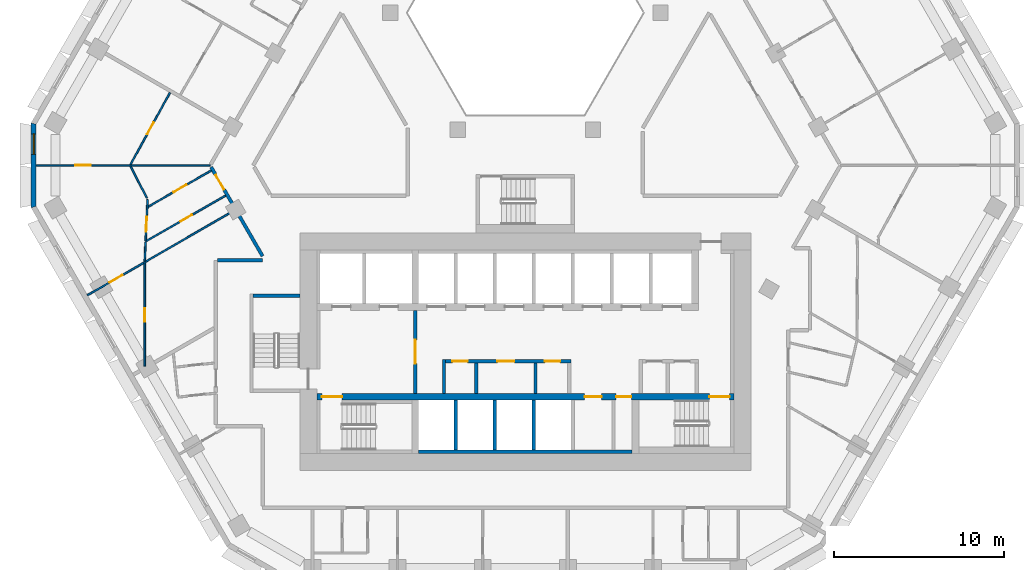
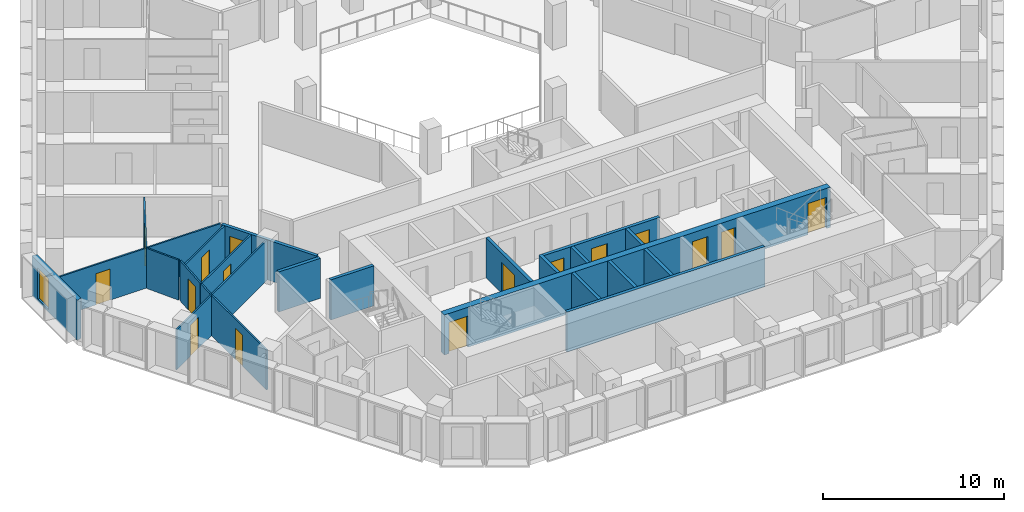
# One storey, part 4 of 16: 23 walls, 16 doors, 1 window, 17 openings.
"""IFC4 building model written with IfcOpenShell, lengths in metres."""

from ifc_helpers import new_model, si_unit, direction, frame, frame_2d, origin, place, context, subcontext, project, spatial, polyline, rectangle, outline, extrude, material, layer, layer_set, type_object, element, fill, save


model = new_model("IFC4")

# Units and contexts
model_context = context("Model", 3, precision=1e-05, world=origin(), true_north=direction((0.0, 1.0)))
body_context = subcontext(model_context, "Body", "Model", "MODEL_VIEW")
ifc_project = project(units=[si_unit("LENGTHUNIT", "METRE"), si_unit("AREAUNIT", "SQUARE_METRE"), si_unit("VOLUMEUNIT", "CUBIC_METRE"), si_unit("PLANEANGLEUNIT", "RADIAN"), si_unit("MASSUNIT", "GRAM", prefix="KILO")], contexts=[model_context])

# Site, building, storey
site_placement = place(None, origin())
site = spatial("IfcSite", under=ifc_project, at=site_placement, CompositionType="ELEMENT")
building_placement = place(site_placement, origin())
building = spatial("IfcBuilding", under=site, at=building_placement, Name="Beryl Residences", CompositionType="ELEMENT")
storey_placement = place(building_placement, frame((0.0, 0.0, 90.0)))
storey = spatial("IfcBuildingStorey", under=building, at=storey_placement, Name="L27", CompositionType="ELEMENT", Elevation=90.0)

# Wall, opening, window
ifc_material_1 = material(Name="Composite metal panel with mineral wool insulation")
ifc_layer_1 = layer(ifc_material_1, 0.300048828125)
ifc_layer_set_1 = layer_set([ifc_layer_1], Name="ES1 pale metal composite panel wall 300 mm")
wall_type_1 = type_object("IfcWallType", Name="ES1 pale metal composite panel wall 300 mm", PredefinedType="SOLIDWALL", material=ifc_layer_set_1)
wall_1_placement = place(storey_placement, frame((-29.007080078125, 1.5, 0.0), z_axis=(0.0, 0.0, 1.0), x_axis=(0.0, -1.0, 0.0)))
wall_1 = element("IfcWall", 1, at=wall_1_placement, inside=storey, type_object=wall_type_1, Name="ES1 external wall L27 NW-SW", PredefinedType="SOLIDWALL", context=body_context, shape_type="SweptSolid", body=[
    extrude(outline(polyline([(0.0, -0.14990234375), (5.0, -0.14990234375), (4.919677734375, 0.14990234375), (0.080322265625, 0.14990234375), (0.0, -0.14990234375)])), origin(), (0.0, 0.0, 1.0), 2.699951171875),
])
opening_1_placement = place(wall_1_placement, frame((0.64990234375, 0.0, 0.14990234375)))
opening_1 = element("IfcOpeningElement", 2, at=opening_1_placement, cuts=wall_1, Name="Opening W2", PredefinedType="OPENING", context=body_context, shape_type="SweptSolid", body=[
    extrude(rectangle(XDim=1.199951171875, YDim=2.10009765625, at=frame_2d((0.60009765625, 1.050048828125))), frame((0.0, 0.159912109375, 0.0), z_axis=(0.0, -1.0, 0.0), x_axis=(1.0, 0.0, 0.0)), (0.0, 0.0, 1.0), 0.320068359375),
])
ifc_material_2 = material(Name="Aluminium and clear glass", Category="aluminium")
window_type = type_object("IfcWindowType", Name="W2 chamfer window 1200 x 2100 mm", PartitioningType="SINGLE_PANEL", PredefinedType="WINDOW", material=ifc_material_2)
window_placement = place(opening_1_placement, origin())
window = element("IfcWindow", 3, at=window_placement, inside=storey, type_object=window_type, Name="W2 window L27 NW-SW 1", OverallHeight=2.10009765625, OverallWidth=1.199951171875, PartitioningType="SINGLE_PANEL", PredefinedType="WINDOW", context=body_context, shape_type="SweptSolid", body=[
    extrude(rectangle(XDim=1.199951171875, YDim=2.10009765625, at=frame_2d((0.60009765625, 1.050048828125))), frame((0.0, 0.030029296875, 0.0), z_axis=(0.0, -1.0, 0.0), x_axis=(1.0, 0.0, 0.0)), (0.0, 0.0, 1.0), 0.06005859375),
])
fill(opening_1, window)

# Wall
ifc_material_3 = material(Name="Gypsum board partition on steel studs", Category="steel")
ifc_layer_2 = layer(ifc_material_3, 0.10009765625)
ifc_layer_set_2 = layer_set([ifc_layer_2], Name="PT1 partition 100 mm gypsum board on steel studs")
wall_type_2 = type_object("IfcWallType", Name="PT1 partition 100 mm gypsum board on steel studs", PredefinedType="PARTITIONING", material=ifc_layer_set_2)
wall_2_placement = place(storey_placement, frame((-23.2890625, -1.053955078125, 0.0), z_axis=(0.0, 0.0, 1.0), x_axis=(0.458226112305, -0.888835659726, 0.0)))
element("IfcWall", 4, at=wall_2_placement, inside=storey, type_object=wall_type_2, Name="Wall PT1 L27 005", PredefinedType="PARTITIONING", context=body_context, shape_type="SweptSolid", body=[
    extrude(rectangle(XDim=2.10400390625, YDim=0.10009765625, at=frame_2d((1.052001953125, 0.0))), origin(), (0.0, 0.0, 1.0), 2.699951171875),
])

# Wall, opening, door
wall_3_placement = place(storey_placement, frame((-28.85693359375, -1.0009765625, 0.0), z_axis=(0.0, 0.0, 1.0), x_axis=(1.0, 0.0, 0.0)))
wall_3 = element("IfcWall", 5, at=wall_3_placement, inside=storey, type_object=wall_type_2, Name="Wall PT1 L27 026", PredefinedType="PARTITIONING", context=body_context, shape_type="SweptSolid", body=[
    extrude(rectangle(XDim=10.265869140625, YDim=0.10009765625, at=frame_2d((5.1328125, 0.0))), origin(), (0.0, 0.0, 1.0), 2.699951171875),
])
opening_2_placement = place(wall_3_placement, frame((2.320068359375, 0.0, 0.0)))
opening_2 = element("IfcOpeningElement", 6, at=opening_2_placement, cuts=wall_3, Name="Opening D0954", PredefinedType="OPENING", context=body_context, shape_type="SweptSolid", body=[
    extrude(rectangle(XDim=0.89990234375, YDim=2.10009765625, at=frame_2d((0.449951171875, 1.050048828125))), frame((0.0, 0.06005859375, 0.0), z_axis=(0.0, -1.0, 0.0), x_axis=(1.0, 0.0, 0.0)), (0.0, 0.0, 1.0), 0.1201171875),
])
ifc_material_4 = material(Name="Timber door leaf", Category="wood")
door_type_1 = type_object("IfcDoorType", Name="D2 room door 900 x 2100 mm", OperationType="SINGLE_SWING_LEFT", PredefinedType="DOOR", material=ifc_material_4)
door_1_placement = place(opening_2_placement, origin())
door_1 = element("IfcDoor", 7, at=door_1_placement, inside=storey, type_object=door_type_1, Name="Door D0954 L27 001", OperationType="SINGLE_SWING_RIGHT", OverallHeight=2.10009765625, OverallWidth=0.89990234375, PredefinedType="DOOR", context=body_context, shape_type="SweptSolid", body=[
    extrude(rectangle(XDim=0.89990234375, YDim=2.10009765625, at=frame_2d((0.449951171875, 1.050048828125))), frame((0.0, 0.02490234375, 0.0), z_axis=(0.0, -1.0, 0.0), x_axis=(1.0, 0.0, 0.0)), (0.0, 0.0, 1.0), 0.050048828125),
])
fill(opening_2, door_1)

wall_4_placement = place(storey_placement, frame((-23.2890625, -0.950927734375, 0.0), z_axis=(0.0, 0.0, 1.0), x_axis=(0.481164463081, 0.876630343684, 0.0)))
wall_4 = element("IfcWall", 8, at=wall_4_placement, inside=storey, type_object=wall_type_2, Name="Wall PT1 L27 041", PredefinedType="PARTITIONING", context=body_context, shape_type="SweptSolid", body=[
    extrude(rectangle(XDim=4.83447265625, YDim=0.10009765625, at=frame_2d((2.417236328125, 0.0))), origin(), (0.0, 0.0, 1.0), 2.699951171875),
])
opening_3_placement = place(wall_4_placement, frame((2.0390625, 0.0, 0.0)))
opening_3 = element("IfcOpeningElement", 9, at=opening_3_placement, cuts=wall_4, Name="Opening D0957", PredefinedType="OPENING", context=body_context, shape_type="SweptSolid", body=[
    extrude(rectangle(XDim=0.800048828125, YDim=2.10009765625, at=frame_2d((0.39990234375, 1.050048828125))), frame((0.0, 0.06005859375, 0.0), z_axis=(0.0, -1.0, 0.0), x_axis=(1.0, 0.0, 0.0)), (0.0, 0.0, 1.0), 0.1201171875),
])
ifc_material_5 = material(Name="Timber door leaf", Category="wood")
door_type_2 = type_object("IfcDoorType", Name="D3 bathroom door 800 x 2100 mm", OperationType="SINGLE_SWING_LEFT", PredefinedType="DOOR", material=ifc_material_5)
door_2_placement = place(opening_3_placement, origin())
door_2 = element("IfcDoor", 10, at=door_2_placement, inside=storey, type_object=door_type_2, Name="Door D0957 L27 001", OperationType="SINGLE_SWING_LEFT", OverallHeight=2.10009765625, OverallWidth=0.800048828125, PredefinedType="DOOR", context=body_context, shape_type="SweptSolid", body=[
    extrude(rectangle(XDim=0.800048828125, YDim=2.10009765625, at=frame_2d((0.39990234375, 1.050048828125))), frame((0.0, 0.02490234375, 0.0), z_axis=(0.0, -1.0, 0.0), x_axis=(1.0, 0.0, 0.0)), (0.0, 0.0, 1.0), 0.050048828125),
])
fill(opening_3, door_2)

wall_5_placement = place(storey_placement, frame((-22.39892578125, -5.449951171875, 0.0), z_axis=(0.0, 0.0, 1.0), x_axis=(0.049129140995, 0.998792434646, 0.0)))
wall_5 = element("IfcWall", 11, at=wall_5_placement, inside=storey, type_object=wall_type_2, Name="Wall PT1 L27 044", PredefinedType="PARTITIONING", context=body_context, shape_type="SweptSolid", body=[
    extrude(rectangle(XDim=2.43994140625, YDim=0.10009765625, at=frame_2d((1.219970703125, 0.0))), origin(), (0.0, 0.0, 1.0), 2.699951171875),
])
opening_4_placement = place(wall_5_placement, frame((0.52197265625, 0.0, 0.0)))
opening_4 = element("IfcOpeningElement", 12, at=opening_4_placement, cuts=wall_5, Name="Opening D0953", PredefinedType="OPENING", context=body_context, shape_type="SweptSolid", body=[
    extrude(rectangle(XDim=0.89990234375, YDim=2.10009765625, at=frame_2d((0.449951171875, 1.050048828125))), frame((0.0, 0.06005859375, 0.0), z_axis=(0.0, -1.0, 0.0), x_axis=(1.0, 0.0, 0.0)), (0.0, 0.0, 1.0), 0.1201171875),
])
door_3_placement = place(opening_4_placement, origin())
door_3 = element("IfcDoor", 13, at=door_3_placement, inside=storey, type_object=door_type_1, Name="Door D0953 L27 001", OperationType="SINGLE_SWING_LEFT", OverallHeight=2.10009765625, OverallWidth=0.89990234375, PredefinedType="DOOR", context=body_context, shape_type="SweptSolid", body=[
    extrude(rectangle(XDim=0.89990234375, YDim=2.10009765625, at=frame_2d((0.449951171875, 1.050048828125))), frame((0.0, 0.02490234375, 0.0), z_axis=(0.0, -1.0, 0.0), x_axis=(1.0, 0.0, 0.0)), (0.0, 0.0, 1.0), 0.050048828125),
])
fill(opening_4, door_3)

# Wall
wall_6_placement = place(storey_placement, frame((-22.447998046875, -6.65087890625, 0.0), z_axis=(0.0, 0.0, 1.0), x_axis=(0.040729401597, 0.99917021365, 0.0)))
element("IfcWall", 14, at=wall_6_placement, inside=storey, type_object=wall_type_2, Name="Wall PT1 L27 045", PredefinedType="PARTITIONING", context=body_context, shape_type="SweptSolid", body=[
    extrude(rectangle(XDim=1.126953125, YDim=0.10009765625, at=frame_2d((0.5634765625, 0.0))), origin(), (0.0, 0.0, 1.0), 2.699951171875),
])

# Wall, opening, door
wall_7_placement = place(storey_placement, frame((-22.449951171875, -12.845947265625, 0.0), z_axis=(0.0, 0.0, 1.0), x_axis=(0.0, 1.0, 0.0)))
wall_7 = element("IfcWall", 15, at=wall_7_placement, inside=storey, type_object=wall_type_2, Name="Wall PT1 L27 055", PredefinedType="PARTITIONING", context=body_context, shape_type="SweptSolid", body=[
    extrude(rectangle(XDim=6.077880859375, YDim=0.10009765625, at=frame_2d((3.0390625, 0.0))), origin(), (0.0, 0.0, 1.0), 2.699951171875),
])
opening_5_placement = place(wall_7_placement, frame((2.610107421875, 0.0, 0.0)))
opening_5 = element("IfcOpeningElement", 16, at=opening_5_placement, cuts=wall_7, Name="Opening D0956", PredefinedType="OPENING", context=body_context, shape_type="SweptSolid", body=[
    extrude(rectangle(XDim=0.800048828125, YDim=2.10009765625, at=frame_2d((0.39990234375, 1.050048828125))), frame((0.0, 0.06005859375, 0.0), z_axis=(0.0, -1.0, 0.0), x_axis=(1.0, 0.0, 0.0)), (0.0, 0.0, 1.0), 0.1201171875),
])
door_4_placement = place(opening_5_placement, origin())
door_4 = element("IfcDoor", 17, at=door_4_placement, inside=storey, type_object=door_type_2, Name="Door D0956 L27 001", OperationType="SINGLE_SWING_RIGHT", OverallHeight=2.10009765625, OverallWidth=0.800048828125, PredefinedType="DOOR", context=body_context, shape_type="SweptSolid", body=[
    extrude(rectangle(XDim=0.800048828125, YDim=2.10009765625, at=frame_2d((0.39990234375, 1.050048828125))), frame((0.0, 0.02490234375, 0.0), z_axis=(0.0, -1.0, 0.0), x_axis=(1.0, 0.0, 0.0)), (0.0, 0.0, 1.0), 0.050048828125),
])
fill(opening_5, door_4)

wall_8_placement = place(storey_placement, frame((-25.830078125, -8.662109375, 0.0), z_axis=(0.0, 0.0, 1.0), x_axis=(0.866022959057, 0.500004234368, 0.0)))
wall_8 = element("IfcWall", 18, at=wall_8_placement, inside=storey, type_object=wall_type_2, Name="Wall PT1 L27 062", PredefinedType="PARTITIONING", context=body_context, shape_type="SweptSolid", body=[
    extrude(rectangle(XDim=10.0, YDim=0.10009765625, at=frame_2d((5.0, 0.0))), origin(), (0.0, 0.0, 1.0), 2.699951171875),
])
opening_6_placement = place(wall_8_placement, frame((1.5009765625, 0.0, 0.0)))
opening_6 = element("IfcOpeningElement", 19, at=opening_6_placement, cuts=wall_8, Name="Opening D0955", PredefinedType="OPENING", context=body_context, shape_type="SweptSolid", body=[
    extrude(rectangle(XDim=0.89990234375, YDim=2.10009765625, at=frame_2d((0.449951171875, 1.050048828125))), frame((0.0, 0.06005859375, 0.0), z_axis=(0.0, -1.0, 0.0), x_axis=(1.0, 0.0, 0.0)), (0.0, 0.0, 1.0), 0.1201171875),
])
door_5_placement = place(opening_6_placement, origin())
door_5 = element("IfcDoor", 20, at=door_5_placement, inside=storey, type_object=door_type_1, Name="Door D0955 L27 001", OperationType="SINGLE_SWING_LEFT", OverallHeight=2.10009765625, OverallWidth=0.89990234375, PredefinedType="DOOR", context=body_context, shape_type="SweptSolid", body=[
    extrude(rectangle(XDim=0.89990234375, YDim=2.10009765625, at=frame_2d((0.449951171875, 1.050048828125))), frame((0.0, 0.02490234375, 0.0), z_axis=(0.0, -1.0, 0.0), x_axis=(1.0, 0.0, 0.0)), (0.0, 0.0, 1.0), 0.050048828125),
])
fill(opening_6, door_5)

wall_9_placement = place(storey_placement, frame((-22.40087890625, -5.489990234375, 0.0), z_axis=(0.0, 0.0, 1.0), x_axis=(0.867314404256, 0.497760709749, 0.0)))
wall_9 = element("IfcWall", 21, at=wall_9_placement, inside=storey, type_object=wall_type_2, Name="Wall PT1 L27 063", PredefinedType="PARTITIONING", context=body_context, shape_type="SweptSolid", body=[
    extrude(rectangle(XDim=5.4443359375, YDim=0.10009765625, at=frame_2d((2.72216796875, 0.0))), origin(), (0.0, 0.0, 1.0), 2.699951171875),
])
opening_7_placement = place(wall_9_placement, frame((2.3720703125, 0.0, 0.0)))
opening_7 = element("IfcOpeningElement", 22, at=opening_7_placement, cuts=wall_9, Name="Opening D0951", PredefinedType="OPENING", context=body_context, shape_type="SweptSolid", body=[
    extrude(rectangle(XDim=0.800048828125, YDim=2.10009765625, at=frame_2d((0.39990234375, 1.050048828125))), frame((0.0, 0.06005859375, 0.0), z_axis=(0.0, -1.0, 0.0), x_axis=(1.0, 0.0, 0.0)), (0.0, 0.0, 1.0), 0.1201171875),
])
door_6_placement = place(opening_7_placement, origin())
door_6 = element("IfcDoor", 23, at=door_6_placement, inside=storey, type_object=door_type_2, Name="Door D0951 L27 001", OperationType="SINGLE_SWING_LEFT", OverallHeight=2.10009765625, OverallWidth=0.800048828125, PredefinedType="DOOR", context=body_context, shape_type="SweptSolid", body=[
    extrude(rectangle(XDim=0.800048828125, YDim=2.10009765625, at=frame_2d((0.39990234375, 1.050048828125))), frame((0.0, 0.02490234375, 0.0), z_axis=(0.0, -1.0, 0.0), x_axis=(1.0, 0.0, 0.0)), (0.0, 0.0, 1.0), 0.050048828125),
])
fill(opening_7, door_6)

wall_10_placement = place(storey_placement, frame((-22.25, -3.443115234375, 0.0), z_axis=(0.0, 0.0, 1.0), x_axis=(0.867362741349, 0.497676476156, 0.0)))
wall_10 = element("IfcWall", 24, at=wall_10_placement, inside=storey, type_object=wall_type_2, Name="Wall PT1 L27 065", PredefinedType="PARTITIONING", context=body_context, shape_type="SweptSolid", body=[
    extrude(rectangle(XDim=4.2900390625, YDim=0.10009765625, at=frame_2d((2.14501953125, 0.0))), origin(), (0.0, 0.0, 1.0), 2.699951171875),
])
opening_8_placement = place(wall_10_placement, frame((1.715087890625, 0.0, 0.0)))
opening_8 = element("IfcOpeningElement", 25, at=opening_8_placement, cuts=wall_10, Name="Opening D0952", PredefinedType="OPENING", context=body_context, shape_type="SweptSolid", body=[
    extrude(rectangle(XDim=0.89990234375, YDim=2.10009765625, at=frame_2d((0.449951171875, 1.050048828125))), frame((0.0, 0.06005859375, 0.0), z_axis=(0.0, -1.0, 0.0), x_axis=(1.0, 0.0, 0.0)), (0.0, 0.0, 1.0), 0.1201171875),
])
door_7_placement = place(opening_8_placement, origin())
door_7 = element("IfcDoor", 26, at=door_7_placement, inside=storey, type_object=door_type_1, Name="Door D0952 L27 001", OperationType="SINGLE_SWING_RIGHT", OverallHeight=2.10009765625, OverallWidth=0.89990234375, PredefinedType="DOOR", context=body_context, shape_type="SweptSolid", body=[
    extrude(rectangle(XDim=0.89990234375, YDim=2.10009765625, at=frame_2d((0.449951171875, 1.050048828125))), frame((0.0, 0.02490234375, 0.0), z_axis=(0.0, -1.0, 0.0), x_axis=(1.0, 0.0, 0.0)), (0.0, 0.0, 1.0), 0.050048828125),
])
fill(opening_8, door_7)

ifc_material_6 = material(Name="Concrete masonry", Category="masonry")
ifc_layer_3 = layer(ifc_material_6, 0.199951171875)
ifc_layer_set_3 = layer_set([ifc_layer_3], Name="PT13 lobby wall 200 mm")
wall_type_3 = type_object("IfcWallType", Name="PT13 lobby wall 200 mm", PredefinedType="PARTITIONING", material=ifc_layer_set_3)
wall_11_placement = place(storey_placement, frame((-6.5, -14.449951171875, 0.0), z_axis=(0.0, 0.0, 1.0), x_axis=(0.0, 1.0, 0.0)))
wall_11 = element("IfcWall", 27, at=wall_11_placement, inside=storey, type_object=wall_type_3, Name="Lobby wall 11", PredefinedType="PARTITIONING", context=body_context, shape_type="SweptSolid", body=[
    extrude(rectangle(XDim=4.89990234375, YDim=0.199951171875, at=frame_2d((2.449951171875, 0.0))), origin(), (0.0, 0.0, 1.0), 2.699951171875),
])
opening_9_placement = place(wall_11_placement, frame((3.14990234375, 0.0, 0.0), z_axis=(0.0, 0.0, 1.0), x_axis=(-1.0, 0.0, 0.0)))
opening_9 = element("IfcOpeningElement", 28, at=opening_9_placement, cuts=wall_11, Name="Opening FD-FFL", PredefinedType="OPENING", context=body_context, shape_type="SweptSolid", body=[
    extrude(rectangle(XDim=1.39990234375, YDim=2.10009765625, at=frame_2d((0.699951171875, 1.050048828125))), frame((0.0, 0.10986328125, 0.0), z_axis=(0.0, -1.0, 0.0), x_axis=(1.0, 0.0, 0.0)), (0.0, 0.0, 1.0), 0.219970703125),
])
ifc_material_7 = material(Name="Steel door leaf in steel frame", Category="steel")
door_type_3 = type_object("IfcDoorType", Name="D5 lobby door 1400 x 2100 mm", OperationType="DOUBLE_DOOR_SINGLE_SWING", PredefinedType="DOOR", material=ifc_material_7)
door_8_placement = place(opening_9_placement, origin())
door_8 = element("IfcDoor", 29, at=door_8_placement, inside=storey, type_object=door_type_3, Name="Door FD-FFL L27 001", OperationType="DOUBLE_DOOR_SINGLE_SWING", OverallHeight=2.10009765625, OverallWidth=1.39990234375, PredefinedType="DOOR", context=body_context, shape_type="SweptSolid", body=[
    extrude(rectangle(XDim=1.39990234375, YDim=2.10009765625, at=frame_2d((0.699951171875, 1.050048828125))), frame((0.0, 0.02490234375, 0.0), z_axis=(0.0, -1.0, 0.0), x_axis=(1.0, 0.0, 0.0)), (0.0, 0.0, 1.0), 0.050048828125),
])
fill(opening_9, door_8)

# Wall
wall_12_placement = place(storey_placement, frame((-4.800048828125, -14.449951171875, 0.0), z_axis=(0.0, 0.0, 1.0), x_axis=(0.0, 1.0, 0.0)))
element("IfcWall", 30, at=wall_12_placement, inside=storey, type_object=wall_type_3, Name="Lobby wall 14", PredefinedType="PARTITIONING", context=body_context, shape_type="SweptSolid", body=[
    extrude(rectangle(XDim=2.0, YDim=0.199951171875, at=frame_2d((1.0, 0.0))), origin(), (0.0, 0.0, 1.0), 2.699951171875),
])

# Wall, openings, doors
wall_13_placement = place(storey_placement, frame((-4.699951171875, -12.550048828125, 0.0), z_axis=(0.0, 0.0, 1.0), x_axis=(1.0, 0.0, 0.0)))
wall_13 = element("IfcWall", 31, at=wall_13_placement, inside=storey, type_object=wall_type_3, Name="Lobby wall 15", PredefinedType="PARTITIONING", context=body_context, shape_type="SweptSolid", body=[
    extrude(rectangle(XDim=7.39990234375, YDim=0.199951171875, at=frame_2d((3.699951171875, 0.0))), origin(), (0.0, 0.0, 1.0), 2.699951171875),
])
opening_10_placement = place(wall_13_placement, frame((1.2998046875, 0.0, 0.0), z_axis=(0.0, 0.0, 1.0), x_axis=(-1.0, 0.0, 0.0)))
opening_10 = element("IfcOpeningElement", 32, at=opening_10_placement, cuts=wall_13, Name="Opening CD-D-A1-900", PredefinedType="OPENING", context=body_context, shape_type="SweptSolid", body=[
    extrude(rectangle(XDim=0.89990234375, YDim=2.10009765625, at=frame_2d((0.449951171875, 1.050048828125))), frame((0.0, 0.10986328125, 0.0), z_axis=(0.0, -1.0, 0.0), x_axis=(1.0, 0.0, 0.0)), (0.0, 0.0, 1.0), 0.219970703125),
])
opening_11_placement = place(wall_13_placement, frame((4.050048828125, 0.0, 0.0), z_axis=(0.0, 0.0, 1.0), x_axis=(-1.0, 0.0, 0.0)))
opening_11 = element("IfcOpeningElement", 33, at=opening_11_placement, cuts=wall_13, Name="Opening CD-D-A2", PredefinedType="OPENING", context=body_context, shape_type="SweptSolid", body=[
    extrude(rectangle(XDim=1.0, YDim=2.10009765625, at=frame_2d((0.5, 1.050048828125))), frame((0.0, 0.10986328125, 0.0), z_axis=(0.0, -1.0, 0.0), x_axis=(1.0, 0.0, 0.0)), (0.0, 0.0, 1.0), 0.219970703125),
])
opening_12_placement = place(wall_13_placement, frame((6.75, 0.0, 0.0), z_axis=(0.0, 0.0, 1.0), x_axis=(-1.0, 0.0, 0.0)))
opening_12 = element("IfcOpeningElement", 34, at=opening_12_placement, cuts=wall_13, Name="Opening CD-D-A3-900", PredefinedType="OPENING", context=body_context, shape_type="SweptSolid", body=[
    extrude(rectangle(XDim=0.89990234375, YDim=2.10009765625, at=frame_2d((0.449951171875, 1.050048828125))), frame((0.0, 0.10986328125, 0.0), z_axis=(0.0, -1.0, 0.0), x_axis=(1.0, 0.0, 0.0)), (0.0, 0.0, 1.0), 0.219970703125),
])
ifc_material_8 = material(Name="Steel door leaf in steel frame", Category="steel")
door_type_4 = type_object("IfcDoorType", Name="D18 service room door 1000 x 2100 mm", OperationType="SINGLE_SWING_LEFT", PredefinedType="DOOR", material=ifc_material_8)
door_9_placement = place(opening_11_placement, origin())
door_9 = element("IfcDoor", 35, at=door_9_placement, inside=storey, type_object=door_type_4, Name="Door CD-D-A2 L27 001", OperationType="SINGLE_SWING_LEFT", OverallHeight=2.10009765625, OverallWidth=1.0, PredefinedType="DOOR", context=body_context, shape_type="SweptSolid", body=[
    extrude(rectangle(XDim=1.0, YDim=2.10009765625, at=frame_2d((0.5, 1.050048828125))), frame((0.0, 0.02490234375, 0.0), z_axis=(0.0, -1.0, 0.0), x_axis=(1.0, 0.0, 0.0)), (0.0, 0.0, 1.0), 0.050048828125),
])
fill(opening_11, door_9)
ifc_material_9 = material(Name="Steel door leaf in steel frame", Category="steel")
door_type_5 = type_object("IfcDoorType", Name="D6 service room door 900 x 2100 mm", OperationType="SINGLE_SWING_LEFT", PredefinedType="DOOR", material=ifc_material_9)
door_10_placement = place(opening_10_placement, origin())
door_10 = element("IfcDoor", 36, at=door_10_placement, inside=storey, type_object=door_type_5, Name="Door CD-D-A1-900 L27 001", OperationType="SINGLE_SWING_RIGHT", OverallHeight=2.10009765625, OverallWidth=0.89990234375, PredefinedType="DOOR", context=body_context, shape_type="SweptSolid", body=[
    extrude(rectangle(XDim=0.89990234375, YDim=2.10009765625, at=frame_2d((0.449951171875, 1.050048828125))), frame((0.0, 0.02490234375, 0.0), z_axis=(0.0, -1.0, 0.0), x_axis=(1.0, 0.0, 0.0)), (0.0, 0.0, 1.0), 0.050048828125),
])
fill(opening_10, door_10)
door_11_placement = place(opening_12_placement, origin())
door_11 = element("IfcDoor", 37, at=door_11_placement, inside=storey, type_object=door_type_5, Name="Door CD-D-A3-900 L27 001", OperationType="SINGLE_SWING_RIGHT", OverallHeight=2.10009765625, OverallWidth=0.89990234375, PredefinedType="DOOR", context=body_context, shape_type="SweptSolid", body=[
    extrude(rectangle(XDim=0.89990234375, YDim=2.10009765625, at=frame_2d((0.449951171875, 1.050048828125))), frame((0.0, 0.02490234375, 0.0), z_axis=(0.0, -1.0, 0.0), x_axis=(1.0, 0.0, 0.0)), (0.0, 0.0, 1.0), 0.050048828125),
])
fill(opening_12, door_11)

# Wall, opening, door
ifc_material_10 = material(Name="Double stud gypsum board wall")
ifc_layer_4 = layer(ifc_material_10, 0.199951171875)
ifc_layer_set_4 = layer_set([ifc_layer_4], Name="PT4 corridor wall 200 mm double stud")
wall_type_4 = type_object("IfcWallType", Name="PT4 corridor wall 200 mm double stud", PredefinedType="PARTITIONING", material=ifc_layer_set_4)
wall_14_placement = place(storey_placement, frame((-18.532958984375, -1.10107421875, 0.0), z_axis=(0.0, 0.0, 1.0), x_axis=(0.500022085096, -0.866012652573, 0.0)))
wall_14 = element("IfcWall", 38, at=wall_14_placement, inside=storey, type_object=wall_type_4, Name="Wall PT4 L27 003", PredefinedType="PARTITIONING", context=body_context, shape_type="SweptSolid", body=[
    extrude(rectangle(XDim=6.065673828125, YDim=0.199951171875, at=frame_2d((3.03271484375, 0.0))), origin(), (0.0, 0.0, 1.0), 2.699951171875),
])
opening_13_placement = place(wall_14_placement, frame((0.531982421875, 0.0, 0.0)))
opening_13 = element("IfcOpeningElement", 39, at=opening_13_placement, cuts=wall_14, Name="Opening D0950", PredefinedType="OPENING", context=body_context, shape_type="SweptSolid", body=[
    extrude(rectangle(XDim=1.0, YDim=2.10009765625, at=frame_2d((0.5, 1.050048828125))), frame((0.0, 0.10986328125, 0.0), z_axis=(0.0, -1.0, 0.0), x_axis=(1.0, 0.0, 0.0)), (0.0, 0.0, 1.0), 0.219970703125),
])
ifc_material_11 = material(Name="Timber door leaf", Category="wood")
door_type_6 = type_object("IfcDoorType", Name="D1 flat entrance door 1000 x 2100 mm", OperationType="SINGLE_SWING_LEFT", PredefinedType="DOOR", material=ifc_material_11)
door_12_placement = place(opening_13_placement, origin())
door_12 = element("IfcDoor", 40, at=door_12_placement, inside=storey, type_object=door_type_6, Name="Door D0950 L27 001", OperationType="SINGLE_SWING_RIGHT", OverallHeight=2.10009765625, OverallWidth=1.0, PredefinedType="DOOR", context=body_context, shape_type="SweptSolid", body=[
    extrude(rectangle(XDim=1.0, YDim=2.10009765625, at=frame_2d((0.5, 1.050048828125))), frame((0.0, 0.02490234375, 0.0), z_axis=(0.0, -1.0, 0.0), x_axis=(1.0, 0.0, 0.0)), (0.0, 0.0, 1.0), 0.050048828125),
])
fill(opening_13, door_12)

# Walls
wall_15_placement = place(storey_placement, frame((-18.14990234375, -6.60009765625, 0.0), z_axis=(0.0, 0.0, 1.0), x_axis=(1.0, 0.0, 0.0)))
element("IfcWall", 41, at=wall_15_placement, inside=storey, type_object=wall_type_4, Name="Wall PT4 L27 013", PredefinedType="PARTITIONING", context=body_context, shape_type="SweptSolid", body=[
    extrude(rectangle(XDim=2.64892578125, YDim=0.199951171875, at=frame_2d((1.324462890625, 0.0))), origin(), (0.0, 0.0, 1.0), 2.699951171875),
])
ifc_material_12 = material(Name="Concrete C40/50", Category="concrete")
ifc_layer_5 = layer(ifc_material_12, 0.199951171875)
ifc_layer_set_5 = layer_set([ifc_layer_5], Name="PT5 stair enclosure wall 200 mm reinforced concrete C40/50")
wall_type_5 = type_object("IfcWallType", Name="PT5 stair enclosure wall 200 mm reinforced concrete C40/50", PredefinedType="SOLIDWALL", material=ifc_layer_set_5)
wall_16_placement = place(storey_placement, frame((-16.050048828125, -8.699951171875, 0.0), z_axis=(0.0, 0.0, 1.0), x_axis=(1.0, 0.0, 0.0)))
element("IfcWall", 42, at=wall_16_placement, inside=storey, type_object=wall_type_5, Name="Stair wall 03", PredefinedType="SOLIDWALL", context=body_context, shape_type="SweptSolid", body=[
    extrude(rectangle(XDim=2.75, YDim=0.199951171875, at=frame_2d((1.375, 0.0))), origin(), (0.0, 0.0, 1.0), 2.699951171875),
])
ifc_material_13 = material(Name="Concrete C40/50", Category="concrete")
ifc_layer_6 = layer(ifc_material_13, 0.199951171875)
ifc_layer_set_6 = layer_set([ifc_layer_6], Name="PT6 lift shaft wall 200 mm reinforced concrete C40/50")
wall_type_6 = type_object("IfcWallType", Name="PT6 lift shaft wall 200 mm reinforced concrete C40/50", PredefinedType="SOLIDWALL", material=ifc_layer_set_6)
wall_17_placement = place(storey_placement, frame((-6.300048828125, -17.89990234375, 0.0), z_axis=(0.0, 0.0, 1.0), x_axis=(1.0, 0.0, 0.0)))
element("IfcWall", 43, at=wall_17_placement, inside=storey, type_object=wall_type_6, Name="Lift shaft wall 12", PredefinedType="SOLIDWALL", context=body_context, shape_type="SweptSolid", body=[
    extrude(rectangle(XDim=12.60009765625, YDim=0.199951171875, at=frame_2d((6.300048828125, 0.0))), origin(), (0.0, 0.0, 1.0), 2.699951171875),
])
for number, where, z_axis, x_axis, name in (
    (44, (-4.10009765625, -17.800048828125, 0.0), (0.0, 0.0, 1.0), (0.0, 1.0, 0.0), "Lift shaft wall 16"),
    (45, (-1.800048828125, -17.800048828125, 0.0), (0.0, 0.0, 1.0), (0.0, 1.0, 0.0), "Lift shaft wall 19"),
    (46, (0.5, -17.800048828125, 0.0), (0.0, 0.0, 1.0), (0.0, 1.0, 0.0), "Lift shaft wall 21"),
):
    element("IfcWall", number, at=place(storey_placement, frame(where, z_axis=z_axis, x_axis=x_axis)), inside=storey, type_object=wall_type_6, Name=name, PredefinedType="SOLIDWALL", context=body_context, shape_type="SweptSolid", body=[
        extrude(rectangle(XDim=2.949951171875, YDim=0.199951171875, at=frame_2d((1.47509765625, 0.0))), origin(), (0.0, 0.0, 1.0), 2.699951171875),
    ])
ifc_material_14 = material(Name="Concrete masonry", Category="masonry")
ifc_layer_7 = layer(ifc_material_14, 0.199951171875)
ifc_layer_set_7 = layer_set([ifc_layer_7], Name="PT8-200 service room wall 200 mm")
wall_type_7 = type_object("IfcWallType", Name="PT8-200 service room wall 200 mm", PredefinedType="PARTITIONING", material=ifc_layer_set_7)
for number, where, z_axis, x_axis, name in (
    (47, (-2.89990234375, -14.449951171875, 0.0), (0.0, 0.0, 1.0), (0.0, 1.0, 0.0), "Core room wall 18"),
    (48, (0.60009765625, -14.449951171875, 0.0), (0.0, 0.0, 1.0), (0.0, 1.0, 0.0), "Core room wall 23"),
):
    element("IfcWall", number, at=place(storey_placement, frame(where, z_axis=z_axis, x_axis=x_axis)), inside=storey, type_object=wall_type_7, Name=name, PredefinedType="PARTITIONING", context=body_context, shape_type="SweptSolid", body=[
        extrude(rectangle(XDim=1.800048828125, YDim=0.199951171875, at=frame_2d((0.89990234375, 0.0))), origin(), (0.0, 0.0, 1.0), 2.699951171875),
    ])

# Wall, openings, doors
ifc_material_15 = material(Name="Concrete C70/85", Category="concrete")
ifc_layer_8 = layer(ifc_material_15, 0.39990234375)
ifc_layer_set_8 = layer_set([ifc_layer_8], Name="SW7 core internal wall 400 mm C70/85")
wall_type_8 = type_object("IfcWallType", Name="SW7 core internal wall 400 mm C70/85", PredefinedType="SHEAR", material=ifc_layer_set_8)
wall_18_placement = place(storey_placement, frame((-12.300048828125, -14.64990234375, 0.0), z_axis=(0.0, 0.0, 1.0), x_axis=(1.0, 0.0, 0.0)))
wall_18 = element("IfcWall", 49, at=wall_18_placement, inside=storey, type_object=wall_type_8, Name="Core wall SP1 L27", PredefinedType="SHEAR", context=body_context, shape_type="SweptSolid", body=[
    extrude(rectangle(XDim=24.60009765625, YDim=0.39990234375, at=frame_2d((12.300048828125, 0.0))), origin(), (0.0, 0.0, 1.0), 2.699951171875),
])
opening_14_placement = place(wall_18_placement, frame((1.5, 0.0, 0.0), z_axis=(0.0, 0.0, 1.0), x_axis=(-1.0, 0.0, 0.0)))
opening_14 = element("IfcOpeningElement", 50, at=opening_14_placement, cuts=wall_18, Name="Opening SD-1", PredefinedType="OPENING", context=body_context, shape_type="SweptSolid", body=[
    extrude(rectangle(XDim=1.199951171875, YDim=2.10009765625, at=frame_2d((0.60009765625, 1.050048828125))), frame((0.0, 0.2099609375, 0.0), z_axis=(0.0, -1.0, 0.0), x_axis=(1.0, 0.0, 0.0)), (0.0, 0.0, 1.0), 0.419921875),
])
opening_15_placement = place(wall_18_placement, frame((24.349853515625, 0.0, 0.0), z_axis=(0.0, 0.0, 1.0), x_axis=(-1.0, 0.0, 0.0)))
opening_15 = element("IfcOpeningElement", 51, at=opening_15_placement, cuts=wall_18, Name="Opening SD-3", PredefinedType="OPENING", context=body_context, shape_type="SweptSolid", body=[
    extrude(rectangle(XDim=1.199951171875, YDim=2.10009765625, at=frame_2d((0.60009765625, 1.050048828125))), frame((0.0, 0.2099609375, 0.0), z_axis=(0.0, -1.0, 0.0), x_axis=(1.0, 0.0, 0.0)), (0.0, 0.0, 1.0), 0.419921875),
])
opening_16_placement = place(wall_18_placement, frame((16.800048828125, 0.0, 0.0), z_axis=(0.0, 0.0, 1.0), x_axis=(-1.0, 0.0, 0.0)))
opening_16 = element("IfcOpeningElement", 52, at=opening_16_placement, cuts=wall_18, Name="Opening CD-D-S1", PredefinedType="OPENING", context=body_context, shape_type="SweptSolid", body=[
    extrude(rectangle(XDim=1.0, YDim=2.10009765625, at=frame_2d((0.5, 1.050048828125))), frame((0.0, 0.2099609375, 0.0), z_axis=(0.0, -1.0, 0.0), x_axis=(1.0, 0.0, 0.0)), (0.0, 0.0, 1.0), 0.419921875),
])
opening_17_placement = place(wall_18_placement, frame((18.5498046875, 0.0, 0.0), z_axis=(0.0, 0.0, 1.0), x_axis=(-1.0, 0.0, 0.0)))
opening_17 = element("IfcOpeningElement", 53, at=opening_17_placement, cuts=wall_18, Name="Opening RD-D-S2", PredefinedType="OPENING", context=body_context, shape_type="SweptSolid", body=[
    extrude(rectangle(XDim=0.89990234375, YDim=2.10009765625, at=frame_2d((0.449951171875, 1.050048828125))), frame((0.0, 0.2099609375, 0.0), z_axis=(0.0, -1.0, 0.0), x_axis=(1.0, 0.0, 0.0)), (0.0, 0.0, 1.0), 0.419921875),
])
door_13_placement = place(opening_16_placement, origin())
door_13 = element("IfcDoor", 54, at=door_13_placement, inside=storey, type_object=door_type_4, Name="Door CD-D-S1 L27 001", OperationType="SINGLE_SWING_RIGHT", OverallHeight=2.10009765625, OverallWidth=1.0, PredefinedType="DOOR", context=body_context, shape_type="SweptSolid", body=[
    extrude(rectangle(XDim=1.0, YDim=2.10009765625, at=frame_2d((0.5, 1.050048828125))), frame((0.0, 0.02490234375, 0.0), z_axis=(0.0, -1.0, 0.0), x_axis=(1.0, 0.0, 0.0)), (0.0, 0.0, 1.0), 0.050048828125),
])
fill(opening_16, door_13)
ifc_material_16 = material(Name="Steel door leaf in steel frame", Category="steel")
door_type_7 = type_object("IfcDoorType", Name="D23 riser door 900 x 2100 mm", OperationType="SINGLE_SWING_LEFT", PredefinedType="DOOR", material=ifc_material_16)
door_14_placement = place(opening_17_placement, origin())
door_14 = element("IfcDoor", 55, at=door_14_placement, inside=storey, type_object=door_type_7, Name="Door RD-D-S2 L27 001", OperationType="SINGLE_SWING_LEFT", OverallHeight=2.10009765625, OverallWidth=0.89990234375, PredefinedType="DOOR", context=body_context, shape_type="SweptSolid", body=[
    extrude(rectangle(XDim=0.89990234375, YDim=2.10009765625, at=frame_2d((0.449951171875, 1.050048828125))), frame((0.0, 0.02490234375, 0.0), z_axis=(0.0, -1.0, 0.0), x_axis=(1.0, 0.0, 0.0)), (0.0, 0.0, 1.0), 0.050048828125),
])
fill(opening_17, door_14)
ifc_material_17 = material(Name="Steel door leaf in steel frame", Category="steel")
door_type_8 = type_object("IfcDoorType", Name="D4 stair door 1200 x 2100 mm", OperationType="SINGLE_SWING_LEFT", PredefinedType="DOOR", material=ifc_material_17)
door_15_placement = place(opening_14_placement, origin())
door_15 = element("IfcDoor", 56, at=door_15_placement, inside=storey, type_object=door_type_8, Name="Door SD-1 L27 001", OperationType="SINGLE_SWING_RIGHT", OverallHeight=2.10009765625, OverallWidth=1.199951171875, PredefinedType="DOOR", context=body_context, shape_type="SweptSolid", body=[
    extrude(rectangle(XDim=1.199951171875, YDim=2.10009765625, at=frame_2d((0.60009765625, 1.050048828125))), frame((0.0, 0.02490234375, 0.0), z_axis=(0.0, -1.0, 0.0), x_axis=(1.0, 0.0, 0.0)), (0.0, 0.0, 1.0), 0.050048828125),
])
fill(opening_14, door_15)
door_16_placement = place(opening_15_placement, origin())
door_16 = element("IfcDoor", 57, at=door_16_placement, inside=storey, type_object=door_type_8, Name="Door SD-3 L27 001", OperationType="SINGLE_SWING_RIGHT", OverallHeight=2.10009765625, OverallWidth=1.199951171875, PredefinedType="DOOR", context=body_context, shape_type="SweptSolid", body=[
    extrude(rectangle(XDim=1.199951171875, YDim=2.10009765625, at=frame_2d((0.60009765625, 1.050048828125))), frame((0.0, 0.02490234375, 0.0), z_axis=(0.0, -1.0, 0.0), x_axis=(1.0, 0.0, 0.0)), (0.0, 0.0, 1.0), 0.050048828125),
])
fill(opening_15, door_16)

save(model, "model.ifc")
